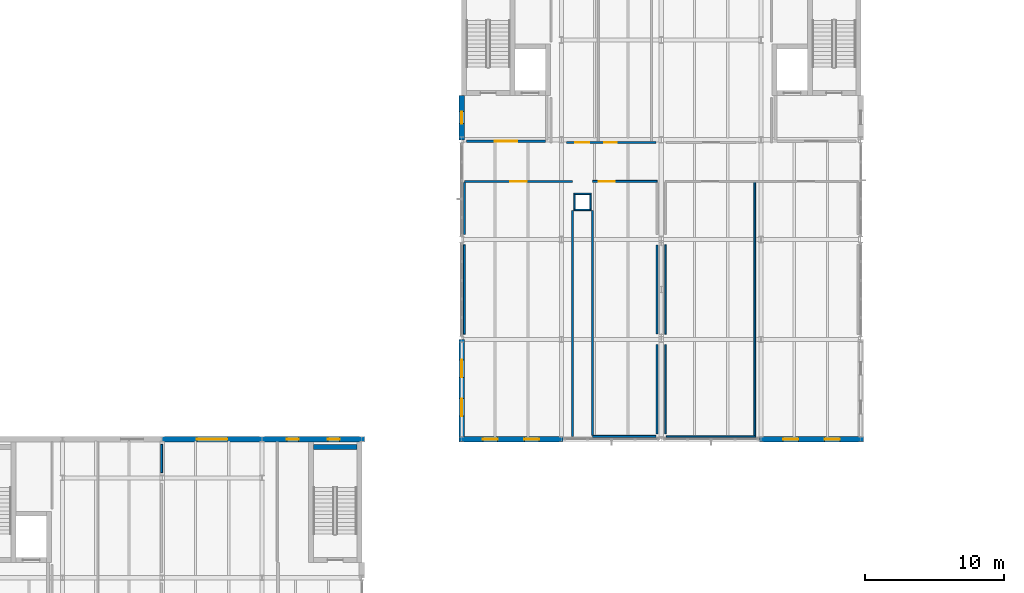
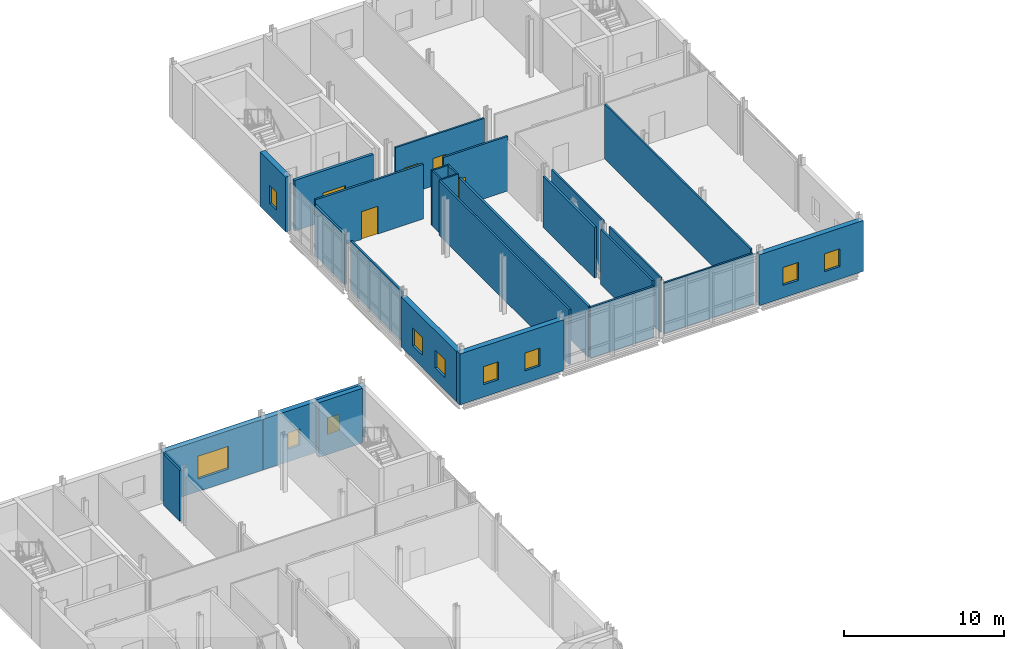
# One storey, part 60 of 76: 27 walls, 10 windows, 5 doors, 15 openings.
"""IFC4 building model written with IfcOpenShell, lengths in metres."""

from ifc_helpers import new_model, si_unit, direction, frame, frame_2d, origin, place, context, subcontext, project, spatial, rectangle, extrude, material, layer, layer_set, type_object, element, fill, save


model = new_model("IFC4")

# Units and contexts
model_context = context("Model", 3, precision=1e-05, world=origin(), true_north=direction((0.0, 1.0)))
body_context = subcontext(model_context, "Body", "Model", "MODEL_VIEW")
ifc_project = project(units=[si_unit("LENGTHUNIT", "METRE"), si_unit("AREAUNIT", "SQUARE_METRE"), si_unit("VOLUMEUNIT", "CUBIC_METRE"), si_unit("PLANEANGLEUNIT", "RADIAN"), si_unit("MASSUNIT", "GRAM", prefix="KILO")], contexts=[model_context])

# Site, building, storey
site_placement = place(None, origin())
site = spatial("IfcSite", under=ifc_project, at=site_placement, CompositionType="ELEMENT")
building_placement = place(site_placement, origin())
building = spatial("IfcBuilding", under=site, at=building_placement, Name="Zarrinpeak Specialist Clinic", CompositionType="ELEMENT")
storey_placement = place(building_placement, frame((0.0, 0.0, 5.199951171875)))
storey = spatial("IfcBuildingStorey", under=building, at=storey_placement, Name="L01", CompositionType="ELEMENT", Elevation=5.199951171875)

# Wall
ifc_material_1 = material(Name="Concrete C40/50", Category="concrete")
ifc_layer_1 = layer(ifc_material_1, 0.35009765625)
ifc_layer_set_1 = layer_set([ifc_layer_1], Name="Concrete C40/50")
wall_type_1 = type_object("IfcWallType", Name="WL-CR350", PredefinedType="SHEAR", material=ifc_layer_set_1)
wall_1_placement = place(storey_placement, frame((25.300048828125, 81.425048828125, 0.0), z_axis=(0.0, 0.0, 1.0), x_axis=(1.0, 0.0, 0.0)))
element("IfcWall", 1, at=wall_1_placement, inside=storey, type_object=wall_type_1, Name="L01 Core C10 Shear Wall STN", PredefinedType="SHEAR", context=body_context, shape_type="SweptSolid", body=[
    extrude(rectangle(XDim=3.14990234375, YDim=0.35009765625, at=frame_2d((1.574951171875, 0.0))), origin(), (0.0, 0.0, 1.0), 4.18505859375),
])

# Wall, opening, window
ifc_material_2 = material(Name="Precast concrete C40/50", Category="concrete")
ifc_layer_2 = layer(ifc_material_2, 0.3798828125)
ifc_layer_set_2 = layer_set([ifc_layer_2], Name="Precast concrete C40/50")
wall_type_2 = type_object("IfcWallType", Name="WL-EW380", PredefinedType="STANDARD", material=ifc_layer_set_2)
wall_2_placement = place(storey_placement, frame((21.60009765625, 82.0, 0.0), z_axis=(0.0, 0.0, 1.0), x_axis=(-1.0, 0.0, 0.0)))
wall_2 = element("IfcWall", 2, at=wall_2_placement, inside=storey, type_object=wall_type_2, Name="L01 V5 Exterior GRC Wall EW-L01-V5-0231", PredefinedType="STANDARD", context=body_context, shape_type="SweptSolid", body=[
    extrude(rectangle(XDim=7.2001953125, YDim=0.3798828125, at=frame_2d((3.60009765625, 0.0))), origin(), (0.0, 0.0, 1.0), 3.880126953125),
])
opening_1_placement = place(wall_2_placement, frame((2.5, 0.0, 0.949951171875)))
opening_1 = element("IfcOpeningElement", 3, at=opening_1_placement, cuts=wall_2, Name="Opening W-12", PredefinedType="OPENING", context=body_context, shape_type="SweptSolid", body=[
    extrude(rectangle(XDim=2.199951171875, YDim=1.75, at=frame_2d((1.10009765625, 0.875))), frame((0.0, 0.199951171875, 0.0), z_axis=(0.0, -1.0, 0.0), x_axis=(1.0, 0.0, 0.0)), (0.0, 0.0, 1.0), 0.39990234375),
])
ifc_material_3 = material(Name="Thermally Broken Aluminium and Low-E Glazing", Category="aluminium")
window_type_1 = type_object("IfcWindowType", Name="WN-SEM220", PartitioningType="SINGLE_PANEL", PredefinedType="WINDOW", material=ifc_material_3)
window_1_placement = place(opening_1_placement, origin())
window_1 = element("IfcWindow", 4, at=window_1_placement, inside=storey, type_object=window_type_1, Name="L01 Modular Facade Window WN-L01-0265", OverallHeight=1.75, OverallWidth=2.199951171875, PartitioningType="SINGLE_PANEL", PredefinedType="WINDOW", context=body_context, shape_type="SweptSolid", body=[
    extrude(rectangle(XDim=2.199951171875, YDim=1.75, at=frame_2d((1.10009765625, 0.875))), frame((0.0, 0.030029296875, 0.0), z_axis=(0.0, -1.0, 0.0), x_axis=(1.0, 0.0, 0.0)), (0.0, 0.0, 1.0), 0.06005859375),
])
fill(opening_1, window_1)

# Wall, openings, windows
wall_3_placement = place(storey_placement, frame((28.989990234375, 82.0, 0.0), z_axis=(0.0, 0.0, 1.0), x_axis=(-1.0, 0.0, 0.0)))
wall_3 = element("IfcWall", 5, at=wall_3_placement, inside=storey, type_object=wall_type_2, Name="L01 V5 Exterior GRC Wall EW-L01-V5-0232", PredefinedType="STANDARD", context=body_context, shape_type="SweptSolid", body=[
    extrude(rectangle(XDim=7.389892578125, YDim=0.3798828125, at=frame_2d((3.69482421875, 0.0))), origin(), (0.0, 0.0, 1.0), 3.880126953125),
])
opening_2_placement = place(wall_3_placement, frame((1.787109375, 0.0, 0.949951171875)))
opening_2 = element("IfcOpeningElement", 6, at=opening_2_placement, cuts=wall_3, Name="Opening WS-01", PredefinedType="OPENING", context=body_context, shape_type="SweptSolid", body=[
    extrude(rectangle(XDim=0.860107421875, YDim=1.260009765625, at=frame_2d((0.43017578125, 0.6298828125))), frame((0.0, 0.199951171875, 0.0), z_axis=(0.0, -1.0, 0.0), x_axis=(1.0, 0.0, 0.0)), (0.0, 0.0, 1.0), 0.39990234375),
])
opening_3_placement = place(wall_3_placement, frame((4.742919921875, 0.0, 0.949951171875)))
opening_3 = element("IfcOpeningElement", 7, at=opening_3_placement, cuts=wall_3, Name="Opening WS-01", PredefinedType="OPENING", context=body_context, shape_type="SweptSolid", body=[
    extrude(rectangle(XDim=0.860107421875, YDim=1.260009765625, at=frame_2d((0.43017578125, 0.6298828125))), frame((0.0, 0.199951171875, 0.0), z_axis=(0.0, -1.0, 0.0), x_axis=(1.0, 0.0, 0.0)), (0.0, 0.0, 1.0), 0.39990234375),
])
window_type_2 = type_object("IfcWindowType", Name="WN-SP01", PartitioningType="SINGLE_PANEL", PredefinedType="WINDOW", material=ifc_material_3)
window_2_placement = place(opening_2_placement, origin())
window_2 = element("IfcWindow", 8, at=window_2_placement, inside=storey, type_object=window_type_2, Name="L01 Modular Facade Window WN-L01-0266", OverallHeight=1.260009765625, OverallWidth=0.860107421875, PartitioningType="SINGLE_PANEL", PredefinedType="WINDOW", context=body_context, shape_type="SweptSolid", body=[
    extrude(rectangle(XDim=0.860107421875, YDim=1.260009765625, at=frame_2d((0.43017578125, 0.6298828125))), frame((0.0, 0.030029296875, 0.0), z_axis=(0.0, -1.0, 0.0), x_axis=(1.0, 0.0, 0.0)), (0.0, 0.0, 1.0), 0.06005859375),
])
fill(opening_2, window_2)
window_3_placement = place(opening_3_placement, origin())
window_3 = element("IfcWindow", 9, at=window_3_placement, inside=storey, type_object=window_type_2, Name="L01 Modular Facade Window WN-L01-0267", OverallHeight=1.260009765625, OverallWidth=0.860107421875, PartitioningType="SINGLE_PANEL", PredefinedType="WINDOW", context=body_context, shape_type="SweptSolid", body=[
    extrude(rectangle(XDim=0.860107421875, YDim=1.260009765625, at=frame_2d((0.43017578125, 0.6298828125))), frame((0.0, 0.030029296875, 0.0), z_axis=(0.0, -1.0, 0.0), x_axis=(1.0, 0.0, 0.0)), (0.0, 0.0, 1.0), 0.06005859375),
])
fill(opening_3, window_3)

wall_4_placement = place(storey_placement, frame((35.81005859375, 82.0, 0.0), z_axis=(0.0, 0.0, 1.0), x_axis=(1.0, 0.0, 0.0)))
wall_4 = element("IfcWall", 10, at=wall_4_placement, inside=storey, type_object=wall_type_2, Name="L01 V6 Exterior GRC Wall EW-L01-V6-0277", PredefinedType="STANDARD", context=body_context, shape_type="SweptSolid", body=[
    extrude(rectangle(XDim=7.5, YDim=0.3798828125, at=frame_2d((3.75, 0.0))), origin(), (0.0, 0.0, 1.0), 3.880126953125),
])
opening_4_placement = place(wall_4_placement, frame((1.718017578125, 0.0, 0.949951171875)))
opening_4 = element("IfcOpeningElement", 11, at=opening_4_placement, cuts=wall_4, Name="Opening WS-46", PredefinedType="OPENING", context=body_context, shape_type="SweptSolid", body=[
    extrude(rectangle(XDim=1.06396484375, YDim=1.367919921875, at=frame_2d((0.531982421875, 0.68408203125))), frame((0.0, 0.199951171875, 0.0), z_axis=(0.0, -1.0, 0.0), x_axis=(1.0, 0.0, 0.0)), (0.0, 0.0, 1.0), 0.39990234375),
])
opening_5_placement = place(wall_4_placement, frame((4.718017578125, 0.0, 0.949951171875)))
opening_5 = element("IfcOpeningElement", 12, at=opening_5_placement, cuts=wall_4, Name="Opening WS-46", PredefinedType="OPENING", context=body_context, shape_type="SweptSolid", body=[
    extrude(rectangle(XDim=1.06396484375, YDim=1.367919921875, at=frame_2d((0.531982421875, 0.68408203125))), frame((0.0, 0.199951171875, 0.0), z_axis=(0.0, -1.0, 0.0), x_axis=(1.0, 0.0, 0.0)), (0.0, 0.0, 1.0), 0.39990234375),
])
window_type_3 = type_object("IfcWindowType", Name="WN-SP46", PartitioningType="SINGLE_PANEL", PredefinedType="WINDOW", material=ifc_material_3)
window_4_placement = place(opening_4_placement, origin())
window_4 = element("IfcWindow", 13, at=window_4_placement, inside=storey, type_object=window_type_3, Name="L01 Modular Facade Window WN-L01-0311", OverallHeight=1.367919921875, OverallWidth=1.06396484375, PartitioningType="SINGLE_PANEL", PredefinedType="WINDOW", context=body_context, shape_type="SweptSolid", body=[
    extrude(rectangle(XDim=1.06396484375, YDim=1.367919921875, at=frame_2d((0.531982421875, 0.68408203125))), frame((0.0, 0.030029296875, 0.0), z_axis=(0.0, -1.0, 0.0), x_axis=(1.0, 0.0, 0.0)), (0.0, 0.0, 1.0), 0.06005859375),
])
fill(opening_4, window_4)
window_5_placement = place(opening_5_placement, origin())
window_5 = element("IfcWindow", 14, at=window_5_placement, inside=storey, type_object=window_type_3, Name="L01 Modular Facade Window WN-L01-0312", OverallHeight=1.367919921875, OverallWidth=1.06396484375, PartitioningType="SINGLE_PANEL", PredefinedType="WINDOW", context=body_context, shape_type="SweptSolid", body=[
    extrude(rectangle(XDim=1.06396484375, YDim=1.367919921875, at=frame_2d((0.531982421875, 0.68408203125))), frame((0.0, 0.030029296875, 0.0), z_axis=(0.0, -1.0, 0.0), x_axis=(1.0, 0.0, 0.0)), (0.0, 0.0, 1.0), 0.06005859375),
])
fill(opening_5, window_5)

wall_5_placement = place(storey_placement, frame((57.489990234375, 82.0, 0.0), z_axis=(0.0, 0.0, 1.0), x_axis=(1.0, 0.0, 0.0)))
wall_5 = element("IfcWall", 15, at=wall_5_placement, inside=storey, type_object=wall_type_2, Name="L01 V6 Exterior GRC Wall EW-L01-V6-0278", PredefinedType="STANDARD", context=body_context, shape_type="SweptSolid", body=[
    extrude(rectangle(XDim=7.5, YDim=0.3798828125, at=frame_2d((3.75, 0.0))), origin(), (0.0, 0.0, 1.0), 3.880126953125),
])
opening_6_placement = place(wall_5_placement, frame((1.700927734375, 0.0, 0.949951171875)))
opening_6 = element("IfcOpeningElement", 16, at=opening_6_placement, cuts=wall_5, Name="Opening WS-47", PredefinedType="OPENING", context=body_context, shape_type="SweptSolid", body=[
    extrude(rectangle(XDim=1.097900390625, YDim=1.367919921875, at=frame_2d((0.548828125, 0.68408203125))), frame((0.0, 0.199951171875, 0.0), z_axis=(0.0, -1.0, 0.0), x_axis=(1.0, 0.0, 0.0)), (0.0, 0.0, 1.0), 0.39990234375),
])
opening_7_placement = place(wall_5_placement, frame((4.700927734375, 0.0, 0.949951171875)))
opening_7 = element("IfcOpeningElement", 17, at=opening_7_placement, cuts=wall_5, Name="Opening WS-47", PredefinedType="OPENING", context=body_context, shape_type="SweptSolid", body=[
    extrude(rectangle(XDim=1.097900390625, YDim=1.367919921875, at=frame_2d((0.548828125, 0.68408203125))), frame((0.0, 0.199951171875, 0.0), z_axis=(0.0, -1.0, 0.0), x_axis=(1.0, 0.0, 0.0)), (0.0, 0.0, 1.0), 0.39990234375),
])
window_type_4 = type_object("IfcWindowType", Name="WN-SP47", PartitioningType="SINGLE_PANEL", PredefinedType="WINDOW", material=ifc_material_3)
window_6_placement = place(opening_6_placement, origin())
window_6 = element("IfcWindow", 18, at=window_6_placement, inside=storey, type_object=window_type_4, Name="L01 Modular Facade Window WN-L01-0313", OverallHeight=1.367919921875, OverallWidth=1.097900390625, PartitioningType="SINGLE_PANEL", PredefinedType="WINDOW", context=body_context, shape_type="SweptSolid", body=[
    extrude(rectangle(XDim=1.097900390625, YDim=1.367919921875, at=frame_2d((0.548828125, 0.68408203125))), frame((0.0, 0.030029296875, 0.0), z_axis=(0.0, -1.0, 0.0), x_axis=(1.0, 0.0, 0.0)), (0.0, 0.0, 1.0), 0.06005859375),
])
fill(opening_6, window_6)
window_7_placement = place(opening_7_placement, origin())
window_7 = element("IfcWindow", 19, at=window_7_placement, inside=storey, type_object=window_type_4, Name="L01 Modular Facade Window WN-L01-0314", OverallHeight=1.367919921875, OverallWidth=1.097900390625, PartitioningType="SINGLE_PANEL", PredefinedType="WINDOW", context=body_context, shape_type="SweptSolid", body=[
    extrude(rectangle(XDim=1.097900390625, YDim=1.367919921875, at=frame_2d((0.548828125, 0.68408203125))), frame((0.0, 0.030029296875, 0.0), z_axis=(0.0, -1.0, 0.0), x_axis=(1.0, 0.0, 0.0)), (0.0, 0.0, 1.0), 0.06005859375),
])
fill(opening_7, window_7)

wall_6_placement = place(storey_placement, frame((36.0, 89.199951171875, 0.0), z_axis=(0.0, 0.0, 1.0), x_axis=(0.0, -1.0, 0.0)))
wall_6 = element("IfcWall", 20, at=wall_6_placement, inside=storey, type_object=wall_type_2, Name="L01 V6 Exterior GRC Wall EW-L01-V6-0283", PredefinedType="STANDARD", context=body_context, shape_type="SweptSolid", body=[
    extrude(rectangle(XDim=7.010009765625, YDim=0.3798828125, at=frame_2d((3.5048828125, 0.0))), origin(), (0.0, 0.0, 1.0), 3.81005859375),
])
opening_8_placement = place(wall_6_placement, frame((1.468994140625, 0.0, 0.949951171875)))
opening_8 = element("IfcOpeningElement", 21, at=opening_8_placement, cuts=wall_6, Name="Opening WS-52", PredefinedType="OPENING", context=body_context, shape_type="SweptSolid", body=[
    extrude(rectangle(XDim=1.26806640625, YDim=1.367919921875, at=frame_2d((0.634033203125, 0.68408203125))), frame((0.0, 0.199951171875, 0.0), z_axis=(0.0, -1.0, 0.0), x_axis=(1.0, 0.0, 0.0)), (0.0, 0.0, 1.0), 0.39990234375),
])
opening_9_placement = place(wall_6_placement, frame((4.27294921875, 0.0, 0.949951171875)))
opening_9 = element("IfcOpeningElement", 22, at=opening_9_placement, cuts=wall_6, Name="Opening WS-52", PredefinedType="OPENING", context=body_context, shape_type="SweptSolid", body=[
    extrude(rectangle(XDim=1.26806640625, YDim=1.367919921875, at=frame_2d((0.634033203125, 0.68408203125))), frame((0.0, 0.199951171875, 0.0), z_axis=(0.0, -1.0, 0.0), x_axis=(1.0, 0.0, 0.0)), (0.0, 0.0, 1.0), 0.39990234375),
])
window_type_5 = type_object("IfcWindowType", Name="WN-SP52", PartitioningType="SINGLE_PANEL", PredefinedType="WINDOW", material=ifc_material_3)
window_8_placement = place(opening_8_placement, origin())
window_8 = element("IfcWindow", 23, at=window_8_placement, inside=storey, type_object=window_type_5, Name="L01 Modular Facade Window WN-L01-0322", OverallHeight=1.367919921875, OverallWidth=1.26806640625, PartitioningType="SINGLE_PANEL", PredefinedType="WINDOW", context=body_context, shape_type="SweptSolid", body=[
    extrude(rectangle(XDim=1.26806640625, YDim=1.367919921875, at=frame_2d((0.634033203125, 0.68408203125))), frame((0.0, 0.030029296875, 0.0), z_axis=(0.0, -1.0, 0.0), x_axis=(1.0, 0.0, 0.0)), (0.0, 0.0, 1.0), 0.06005859375),
])
fill(opening_8, window_8)
window_9_placement = place(opening_9_placement, origin())
window_9 = element("IfcWindow", 24, at=window_9_placement, inside=storey, type_object=window_type_5, Name="L01 Modular Facade Window WN-L01-0323", OverallHeight=1.367919921875, OverallWidth=1.26806640625, PartitioningType="SINGLE_PANEL", PredefinedType="WINDOW", context=body_context, shape_type="SweptSolid", body=[
    extrude(rectangle(XDim=1.26806640625, YDim=1.367919921875, at=frame_2d((0.634033203125, 0.68408203125))), frame((0.0, 0.030029296875, 0.0), z_axis=(0.0, -1.0, 0.0), x_axis=(1.0, 0.0, 0.0)), (0.0, 0.0, 1.0), 0.06005859375),
])
fill(opening_9, window_9)

# Wall, opening, window
wall_7_placement = place(storey_placement, frame((36.0, 106.800048828125, 0.0), z_axis=(0.0, 0.0, 1.0), x_axis=(0.0, -1.0, 0.0)))
wall_7 = element("IfcWall", 25, at=wall_7_placement, inside=storey, type_object=wall_type_2, Name="L01 V6 Exterior GRC Wall EW-L01-V6-0284", PredefinedType="STANDARD", context=body_context, shape_type="SweptSolid", body=[
    extrude(rectangle(XDim=3.199951171875, YDim=0.3798828125, at=frame_2d((1.60009765625, 0.0))), origin(), (0.0, 0.0, 1.0), 4.18505859375),
])
opening_10_placement = place(wall_7_placement, frame((1.169921875, 0.0, 0.949951171875)))
opening_10 = element("IfcOpeningElement", 26, at=opening_10_placement, cuts=wall_7, Name="Opening WS-53", PredefinedType="OPENING", context=body_context, shape_type="SweptSolid", body=[
    extrude(rectangle(XDim=0.860107421875, YDim=1.404052734375, at=frame_2d((0.43017578125, 0.7021484375))), frame((0.0, 0.199951171875, 0.0), z_axis=(0.0, -1.0, 0.0), x_axis=(1.0, 0.0, 0.0)), (0.0, 0.0, 1.0), 0.39990234375),
])
window_type_6 = type_object("IfcWindowType", Name="WN-SP53", PartitioningType="SINGLE_PANEL", PredefinedType="WINDOW", material=ifc_material_3)
window_10_placement = place(opening_10_placement, origin())
window_10 = element("IfcWindow", 27, at=window_10_placement, inside=storey, type_object=window_type_6, Name="L01 Modular Facade Window WN-L01-0324", OverallHeight=1.404052734375, OverallWidth=0.860107421875, PartitioningType="SINGLE_PANEL", PredefinedType="WINDOW", context=body_context, shape_type="SweptSolid", body=[
    extrude(rectangle(XDim=0.860107421875, YDim=1.404052734375, at=frame_2d((0.43017578125, 0.7021484375))), frame((0.0, 0.030029296875, 0.0), z_axis=(0.0, -1.0, 0.0), x_axis=(1.0, 0.0, 0.0)), (0.0, 0.0, 1.0), 0.06005859375),
])
fill(opening_10, window_10)

# Walls
ifc_material_4 = material(Name="Sanitary Service Chase Plumbing Wall", Category="gypsum")
ifc_layer_3 = layer(ifc_material_4, 0.110107421875)
ifc_layer_set_3 = layer_set([ifc_layer_3], Name="Sanitary Service Chase Plumbing Wall")
wall_type_3 = type_object("IfcWallType", Name="WL-IW110", PredefinedType="PARTITIONING", material=ifc_layer_set_3)
for number, where, z_axis, x_axis, name in (
    (28, (44.090087890625, 98.544921875, 0.0), (0.0, 0.0, 1.0), (1.0, 0.0, 0.0), "L01 V6 Enclosed MEP Service Riser Wall S"),
    (29, (44.090087890625, 99.705078125, 0.0), (0.0, 0.0, 1.0), (1.0, 0.0, 0.0), "L01 V6 Enclosed MEP Service Riser Wall N"),
):
    element("IfcWall", number, at=place(storey_placement, frame(where, z_axis=z_axis, x_axis=x_axis)), inside=storey, type_object=wall_type_3, Name=name, PredefinedType="PARTITIONING", context=body_context, shape_type="SweptSolid", body=[
        extrude(rectangle(XDim=1.27001953125, YDim=0.110107421875, at=frame_2d((0.635009765625, 0.0))), origin(), (0.0, 0.0, 1.0), 4.18505859375),
    ])
for number, where, z_axis, x_axis, name in (
    (30, (44.14501953125, 98.60009765625, 0.0), (0.0, 0.0, 1.0), (0.0, 1.0, 0.0), "L01 V6 Enclosed MEP Service Riser Wall W"),
    (31, (45.304931640625, 98.60009765625, 0.0), (0.0, 0.0, 1.0), (0.0, 1.0, 0.0), "L01 V6 Enclosed MEP Service Riser Wall E"),
):
    element("IfcWall", number, at=place(storey_placement, frame(where, z_axis=z_axis, x_axis=x_axis)), inside=storey, type_object=wall_type_3, Name=name, PredefinedType="PARTITIONING", context=body_context, shape_type="SweptSolid", body=[
        extrude(rectangle(XDim=1.0498046875, YDim=0.110107421875, at=frame_2d((0.52490234375, 0.0))), origin(), (0.0, 0.0, 1.0), 4.18505859375),
    ])
ifc_material_5 = material(Name="Cleanroom Flush Phenolic Partition", Category="gypsum")
ifc_layer_4 = layer(ifc_material_5, 0.117919921875)
ifc_layer_set_4 = layer_set([ifc_layer_4], Name="Cleanroom Flush Phenolic Partition")
wall_type_4 = type_object("IfcWallType", Name="WL-IW118", PredefinedType="PARTITIONING", material=ifc_layer_set_4)
wall_8_placement = place(storey_placement, frame((50.780029296875, 82.199951171875, 0.0), z_axis=(0.0, 0.0, 1.0), x_axis=(1.0, 0.0, 0.0)))
element("IfcWall", 32, at=wall_8_placement, inside=storey, type_object=wall_type_4, Name="L01 Automated Clinical Biochemistry Lab Partition", PredefinedType="PARTITIONING", context=body_context, shape_type="SweptSolid", body=[
    extrude(rectangle(XDim=6.43994140625, YDim=0.117919921875, at=frame_2d((3.219970703125, 0.0))), origin(), (0.0, 0.0, 1.0), 3.880126953125),
])
wall_9_placement = place(storey_placement, frame((50.699951171875, 82.3798828125, 0.0), z_axis=(0.0, 0.0, 1.0), x_axis=(0.0, 1.0, 0.0)))
element("IfcWall", 33, at=wall_9_placement, inside=storey, type_object=wall_type_4, Name="L01 Automated Clinical Biochemistry Lab Dividing Partition", PredefinedType="PARTITIONING", context=body_context, shape_type="SweptSolid", body=[
    extrude(rectangle(XDim=6.440185546875, YDim=0.117919921875, at=frame_2d((3.22021484375, 0.0))), origin(), (0.0, 0.0, 1.0), 4.18505859375),
])
wall_10_placement = place(storey_placement, frame((50.699951171875, 89.580078125, 0.0), z_axis=(0.0, 0.0, 1.0), x_axis=(0.0, 1.0, 0.0)))
element("IfcWall", 34, at=wall_10_placement, inside=storey, type_object=wall_type_4, Name="L01 Automated Clinical Biochemistry Lab Dividing Partition", PredefinedType="PARTITIONING", context=body_context, shape_type="SweptSolid", body=[
    extrude(rectangle(XDim=6.43994140625, YDim=0.117919921875, at=frame_2d((3.219970703125, 0.0))), origin(), (0.0, 0.0, 1.0), 4.18505859375),
])
wall_11_placement = place(storey_placement, frame((57.14990234375, 82.259033203125, 0.0), z_axis=(0.0, 0.0, 1.0), x_axis=(0.0, 1.0, 0.0)))
element("IfcWall", 35, at=wall_11_placement, inside=storey, type_object=wall_type_4, Name="L01 Automated Clinical Biochemistry Lab Dividing Partition", PredefinedType="PARTITIONING", context=body_context, shape_type="SweptSolid", body=[
    extrude(rectangle(XDim=18.281982421875, YDim=0.117919921875, at=frame_2d((9.14111328125, 0.0))), origin(), (0.0, 0.0, 1.0), 4.18505859375),
])

# Wall, openings, doors
ifc_material_6 = material(Name="Moisture-Resistant Wet-Room Partition", Category="gypsum")
ifc_layer_5 = layer(ifc_material_6, 0.125)
ifc_layer_set_5 = layer_set([ifc_layer_5], Name="Moisture-Resistant Wet-Room Partition")
wall_type_5 = type_object("IfcWallType", Name="WL-IW125W", PredefinedType="PARTITIONING", material=ifc_layer_set_5)
wall_12_placement = place(storey_placement, frame((43.580078125, 103.39990234375, 0.0), z_axis=(0.0, 0.0, 1.0), x_axis=(1.0, 0.0, 0.0)))
wall_12 = element("IfcWall", 36, at=wall_12_placement, inside=storey, type_object=wall_type_5, Name="L01 Accessible Staff WC Partition", PredefinedType="PARTITIONING", context=body_context, shape_type="SweptSolid", body=[
    extrude(rectangle(XDim=6.43994140625, YDim=0.125, at=frame_2d((3.219970703125, 0.0))), origin(), (0.0, 0.0, 1.0), 3.880126953125),
])
opening_11_placement = place(wall_12_placement, frame((0.635009765625, 0.0, 0.0)))
opening_11 = element("IfcOpeningElement", 37, at=opening_11_placement, cuts=wall_12, Name="Opening D-W02", PredefinedType="OPENING", context=body_context, shape_type="SweptSolid", body=[
    extrude(rectangle(XDim=1.0, YDim=2.10009765625, at=frame_2d((0.5, 1.050048828125))), frame((0.0, 0.072509765625, 0.0), z_axis=(0.0, -1.0, 0.0), x_axis=(1.0, 0.0, 0.0)), (0.0, 0.0, 1.0), 0.14501953125),
])
opening_12_placement = place(wall_12_placement, frame((2.719970703125, 0.0, 0.0)))
opening_12 = element("IfcOpeningElement", 38, at=opening_12_placement, cuts=wall_12, Name="Opening D-W01", PredefinedType="OPENING", context=body_context, shape_type="SweptSolid", body=[
    extrude(rectangle(XDim=0.89990234375, YDim=2.10009765625, at=frame_2d((0.449951171875, 1.050048828125))), frame((0.0, 0.072509765625, 0.0), z_axis=(0.0, -1.0, 0.0), x_axis=(1.0, 0.0, 0.0)), (0.0, 0.0, 1.0), 0.14501953125),
])
ifc_material_7 = material(Name="Powder-Coated Galvanised Steel", Category="steel")
door_type_1 = type_object("IfcDoorType", Name="DR-AWC100", OperationType="SLIDING_TO_LEFT", PredefinedType="DOOR", material=ifc_material_7)
door_1_placement = place(opening_11_placement, frame((1.0, 0.0, 0.0), z_axis=(0.0, 0.0, 1.0), x_axis=(-1.0, 0.0, 0.0)))
door_1 = element("IfcDoor", 39, at=door_1_placement, inside=storey, type_object=door_type_1, Name="L01 Accessible Staff WC Door", OperationType="SLIDING_TO_LEFT", OverallHeight=2.10009765625, OverallWidth=1.0, PredefinedType="DOOR", context=body_context, shape_type="SweptSolid", body=[
    extrude(rectangle(XDim=1.0, YDim=2.10009765625, at=frame_2d((0.5, 1.050048828125))), frame((0.0, 0.02490234375, 0.0), z_axis=(0.0, -1.0, 0.0), x_axis=(1.0, 0.0, 0.0)), (0.0, 0.0, 1.0), 0.050048828125),
])
fill(opening_11, door_1)
door_type_2 = type_object("IfcDoorType", Name="DR-WC90", OperationType="SINGLE_SWING_RIGHT", PredefinedType="DOOR", material=ifc_material_7)
door_2_placement = place(opening_12_placement, frame((0.89990234375, 0.0, 0.0), z_axis=(0.0, 0.0, 1.0), x_axis=(-1.0, 0.0, 0.0)))
door_2 = element("IfcDoor", 40, at=door_2_placement, inside=storey, type_object=door_type_2, Name="L01 Lab Staff Washroom Door", OperationType="SINGLE_SWING_RIGHT", OverallHeight=2.10009765625, OverallWidth=0.89990234375, PredefinedType="DOOR", context=body_context, shape_type="SweptSolid", body=[
    extrude(rectangle(XDim=0.89990234375, YDim=2.10009765625, at=frame_2d((0.449951171875, 1.050048828125))), frame((0.0, 0.02490234375, 0.0), z_axis=(0.0, -1.0, 0.0), x_axis=(1.0, 0.0, 0.0)), (0.0, 0.0, 1.0), 0.050048828125),
])
fill(opening_12, door_2)

# Walls
ifc_material_8 = material(Name="Standard Drywall Partition", Category="gypsum")
ifc_layer_6 = layer(ifc_material_8, 0.135009765625)
ifc_layer_set_6 = layer_set([ifc_layer_6], Name="Standard Drywall Partition")
wall_type_6 = type_object("IfcWallType", Name="WL-IW135", PredefinedType="PARTITIONING", material=ifc_layer_set_6)
wall_13_placement = place(storey_placement, frame((36.199951171875, 89.580078125, 0.0), z_axis=(0.0, 0.0, 1.0), x_axis=(0.0, 1.0, 0.0)))
element("IfcWall", 41, at=wall_13_placement, inside=storey, type_object=wall_type_6, Name="L01 Specialist Consultation Room 2 Dividing Partition", PredefinedType="PARTITIONING", context=body_context, shape_type="SweptSolid", body=[
    extrude(rectangle(XDim=6.43994140625, YDim=0.135009765625, at=frame_2d((3.219970703125, 0.0))), origin(), (0.0, 0.0, 1.0), 3.81005859375),
])
wall_14_placement = place(storey_placement, frame((44.0, 82.199951171875, 0.0), z_axis=(0.0, 0.0, 1.0), x_axis=(0.0, 1.0, 0.0)))
element("IfcWall", 42, at=wall_14_placement, inside=storey, type_object=wall_type_6, Name="L01 Specialist Consultation Room 2 Dividing Partition", PredefinedType="PARTITIONING", context=body_context, shape_type="SweptSolid", body=[
    extrude(rectangle(XDim=16.2900390625, YDim=0.135009765625, at=frame_2d((8.14501953125, 0.0))), origin(), (0.0, 0.0, 1.0), 4.18505859375),
])
wall_15_placement = place(storey_placement, frame((50.10009765625, 82.3798828125, 0.0), z_axis=(0.0, 0.0, 1.0), x_axis=(0.0, 1.0, 0.0)))
element("IfcWall", 43, at=wall_15_placement, inside=storey, type_object=wall_type_6, Name="L01 Specimen Accessioning Hub Dividing Partition", PredefinedType="PARTITIONING", context=body_context, shape_type="SweptSolid", body=[
    extrude(rectangle(XDim=6.440185546875, YDim=0.135009765625, at=frame_2d((3.22021484375, 0.0))), origin(), (0.0, 0.0, 1.0), 4.18505859375),
])
ifc_material_9 = material(Name="Acoustic Consultation Stud Partition", Category="gypsum")
ifc_layer_7 = layer(ifc_material_9, 0.14208984375)
ifc_layer_set_7 = layer_set([ifc_layer_7], Name="Acoustic Consultation Stud Partition")
wall_type_7 = type_object("IfcWallType", Name="WL-IW142", PredefinedType="PARTITIONING", material=ifc_layer_set_7)
wall_16_placement = place(storey_placement, frame((45.449951171875, 82.199951171875, 0.0), z_axis=(0.0, 0.0, 1.0), x_axis=(1.0, 0.0, 0.0)))
element("IfcWall", 44, at=wall_16_placement, inside=storey, type_object=wall_type_7, Name="L01 Specimen Accessioning Hub Partition", PredefinedType="PARTITIONING", context=body_context, shape_type="SweptSolid", body=[
    extrude(rectangle(XDim=4.570068359375, YDim=0.14208984375, at=frame_2d((2.28515625, 0.0))), origin(), (0.0, 0.0, 1.0), 3.880126953125),
])

# Wall, opening, door
wall_17_placement = place(storey_placement, frame((45.449951171875, 100.60009765625, 0.0), z_axis=(0.0, 0.0, 1.0), x_axis=(1.0, 0.0, 0.0)))
wall_17 = element("IfcWall", 45, at=wall_17_placement, inside=storey, type_object=wall_type_7, Name="L01 Specimen Accessioning Hub Partition", PredefinedType="PARTITIONING", context=body_context, shape_type="SweptSolid", body=[
    extrude(rectangle(XDim=4.650146484375, YDim=0.14208984375, at=frame_2d((2.3251953125, 0.0))), origin(), (0.0, 0.0, 1.0), 4.18505859375),
])
opening_13_placement = place(wall_17_placement, frame((0.449951171875, 0.0, 0.0)))
opening_13 = element("IfcOpeningElement", 46, at=opening_13_placement, cuts=wall_17, Name="Opening DS-50", PredefinedType="OPENING", context=body_context, shape_type="SweptSolid", body=[
    extrude(rectangle(XDim=1.139892578125, YDim=2.1240234375, at=frame_2d((0.56982421875, 1.06201171875))), frame((0.0, 0.0810546875, 0.0), z_axis=(0.0, -1.0, 0.0), x_axis=(1.0, 0.0, 0.0)), (0.0, 0.0, 1.0), 0.162109375),
])
door_type_3 = type_object("IfcDoorType", Name="DR-SP50", OperationType="SINGLE_SWING_LEFT", PredefinedType="DOOR", material=ifc_material_7)
door_3_placement = place(opening_13_placement, origin())
door_3 = element("IfcDoor", 47, at=door_3_placement, inside=storey, type_object=door_type_3, Name="L01 Specimen Accessioning Hub Door", OperationType="SINGLE_SWING_LEFT", OverallHeight=2.1240234375, OverallWidth=1.139892578125, PredefinedType="DOOR", context=body_context, shape_type="SweptSolid", body=[
    extrude(rectangle(XDim=1.139892578125, YDim=2.1240234375, at=frame_2d((0.56982421875, 1.06201171875))), frame((0.0, 0.02490234375, 0.0), z_axis=(0.0, -1.0, 0.0), x_axis=(1.0, 0.0, 0.0)), (0.0, 0.0, 1.0), 0.050048828125),
])
fill(opening_13, door_3)

# Wall
wall_18_placement = place(storey_placement, frame((14.35009765625, 79.580078125, 0.0), z_axis=(0.0, 0.0, 1.0), x_axis=(0.0, 1.0, 0.0)))
element("IfcWall", 48, at=wall_18_placement, inside=storey, type_object=wall_type_7, Name="L01 PACS Teleradiology Office Dividing Partition", PredefinedType="PARTITIONING", context=body_context, shape_type="SweptSolid", body=[
    extrude(rectangle(XDim=2.0400390625, YDim=0.14208984375, at=frame_2d((1.02001953125, 0.0))), origin(), (0.0, 0.0, 1.0), 3.880126953125),
])

# Wall, opening, door
ifc_material_10 = material(Name="Insulated Clinical Gypsum Stud Partition", Category="gypsum")
ifc_layer_8 = layer(ifc_material_10, 0.14990234375)
ifc_layer_set_8 = layer_set([ifc_layer_8], Name="Insulated Clinical Gypsum Stud Partition")
wall_type_8 = type_object("IfcWallType", Name="WL-IW150", PredefinedType="PARTITIONING", material=ifc_layer_set_8)
wall_19_placement = place(storey_placement, frame((36.199951171875, 100.60009765625, 0.0), z_axis=(0.0, 0.0, 1.0), x_axis=(1.0, 0.0, 0.0)))
wall_19 = element("IfcWall", 49, at=wall_19_placement, inside=storey, type_object=wall_type_8, Name="L01 Specialist Consultation Room 2 Partition", PredefinedType="PARTITIONING", context=body_context, shape_type="SweptSolid", body=[
    extrude(rectangle(XDim=7.800048828125, YDim=0.14990234375, at=frame_2d((3.89990234375, 0.0))), origin(), (0.0, 0.0, 1.0), 4.18505859375),
])
opening_14_placement = place(wall_19_placement, frame((3.303955078125, 0.0, 0.0)))
opening_14 = element("IfcOpeningElement", 50, at=opening_14_placement, cuts=wall_19, Name="Opening DS-52", PredefinedType="OPENING", context=body_context, shape_type="SweptSolid", body=[
    extrude(rectangle(XDim=1.19189453125, YDim=2.1240234375, at=frame_2d((0.595947265625, 1.06201171875))), frame((0.0, 0.0849609375, 0.0), z_axis=(0.0, -1.0, 0.0), x_axis=(1.0, 0.0, 0.0)), (0.0, 0.0, 1.0), 0.169921875),
])
door_type_4 = type_object("IfcDoorType", Name="DR-SP52", OperationType="SINGLE_SWING_LEFT", PredefinedType="DOOR", material=ifc_material_7)
door_4_placement = place(opening_14_placement, origin())
door_4 = element("IfcDoor", 51, at=door_4_placement, inside=storey, type_object=door_type_4, Name="L01 Specialist Consultation Room 2 Door", OperationType="SINGLE_SWING_LEFT", OverallHeight=2.1240234375, OverallWidth=1.19189453125, PredefinedType="DOOR", context=body_context, shape_type="SweptSolid", body=[
    extrude(rectangle(XDim=1.19189453125, YDim=2.1240234375, at=frame_2d((0.595947265625, 1.06201171875))), frame((0.0, 0.02490234375, 0.0), z_axis=(0.0, -1.0, 0.0), x_axis=(1.0, 0.0, 0.0)), (0.0, 0.0, 1.0), 0.050048828125),
])
fill(opening_14, door_4)

# Walls
ifc_material_11 = material(Name="Acoustic Double Gypsum Stud Partition", Category="gypsum")
ifc_layer_9 = layer(ifc_material_11, 0.159912109375)
ifc_layer_set_9 = layer_set([ifc_layer_9], Name="Acoustic Double Gypsum Stud Partition")
wall_type_9 = type_object("IfcWallType", Name="WL-IW160", PredefinedType="PARTITIONING", material=ifc_layer_set_9)
wall_20_placement = place(storey_placement, frame((36.199951171875, 96.780029296875, 0.0), z_axis=(0.0, 0.0, 1.0), x_axis=(0.0, 1.0, 0.0)))
element("IfcWall", 52, at=wall_20_placement, inside=storey, type_object=wall_type_9, Name="L01 Specialist Consultation Room 2 Dividing Partition", PredefinedType="PARTITIONING", context=body_context, shape_type="SweptSolid", body=[
    extrude(rectangle(XDim=3.744873046875, YDim=0.159912109375, at=frame_2d((1.87255859375, 0.0))), origin(), (0.0, 0.0, 1.0), 3.81005859375),
])
wall_21_placement = place(storey_placement, frame((45.449951171875, 82.27099609375, 0.0), z_axis=(0.0, 0.0, 1.0), x_axis=(0.0, 1.0, 0.0)))
element("IfcWall", 53, at=wall_21_placement, inside=storey, type_object=wall_type_9, Name="L01 Specimen Accessioning Hub Dividing Partition", PredefinedType="PARTITIONING", context=body_context, shape_type="SweptSolid", body=[
    extrude(rectangle(XDim=16.218994140625, YDim=0.159912109375, at=frame_2d((8.109375, 0.0))), origin(), (0.0, 0.0, 1.0), 3.900146484375),
])
wall_22_placement = place(storey_placement, frame((50.10009765625, 89.580078125, 0.0), z_axis=(0.0, 0.0, 1.0), x_axis=(0.0, 1.0, 0.0)))
element("IfcWall", 54, at=wall_22_placement, inside=storey, type_object=wall_type_9, Name="L01 Specimen Accessioning Hub Dividing Partition", PredefinedType="PARTITIONING", context=body_context, shape_type="SweptSolid", body=[
    extrude(rectangle(XDim=6.43994140625, YDim=0.159912109375, at=frame_2d((3.219970703125, 0.0))), origin(), (0.0, 0.0, 1.0), 3.880126953125),
])

# Wall, opening, door
ifc_material_12 = material(Name="Autoclaved Aerated Concrete Blockwork", Category="masonry")
ifc_layer_10 = layer(ifc_material_12, 0.199951171875)
ifc_layer_set_10 = layer_set([ifc_layer_10], Name="Autoclaved Aerated Concrete Blockwork")
wall_type_10 = type_object("IfcWallType", Name="WL-IW200", PredefinedType="PARTITIONING", material=ifc_layer_set_10)
wall_23_placement = place(storey_placement, frame((36.35009765625, 103.5, 0.0), z_axis=(0.0, 0.0, 1.0), x_axis=(1.0, 0.0, 0.0)))
wall_23 = element("IfcWall", 55, at=wall_23_placement, inside=storey, type_object=wall_type_10, Name="L01 C11 Protected Lobby Partition LBF", PredefinedType="PARTITIONING", context=body_context, shape_type="SweptSolid", body=[
    extrude(rectangle(XDim=5.699951171875, YDim=0.199951171875, at=frame_2d((2.85009765625, 0.0))), origin(), (0.0, 0.0, 1.0), 3.880126953125),
])
opening_15_placement = place(wall_23_placement, frame((2.050048828125, 0.0, 0.0)))
opening_15 = element("IfcOpeningElement", 56, at=opening_15_placement, cuts=wall_23, Name="Opening D-L01", PredefinedType="OPENING", context=body_context, shape_type="SweptSolid", body=[
    extrude(rectangle(XDim=1.60009765625, YDim=2.199951171875, at=frame_2d((0.800048828125, 1.10009765625))), frame((0.0, 0.10986328125, 0.0), z_axis=(0.0, -1.0, 0.0), x_axis=(1.0, 0.0, 0.0)), (0.0, 0.0, 1.0), 0.219970703125),
])
door_type_5 = type_object("IfcDoorType", Name="DR-LB160", OperationType="DOUBLE_DOOR_SINGLE_SWING", PredefinedType="DOOR", material=ifc_material_7)
door_5_placement = place(opening_15_placement, origin())
door_5 = element("IfcDoor", 57, at=door_5_placement, inside=storey, type_object=door_type_5, Name="L01 C11 Lobby Hold-Open Fire Door", OperationType="DOUBLE_DOOR_SINGLE_SWING", OverallHeight=2.199951171875, OverallWidth=1.60009765625, PredefinedType="DOOR", context=body_context, shape_type="SweptSolid", body=[
    extrude(rectangle(XDim=1.60009765625, YDim=2.199951171875, at=frame_2d((0.800048828125, 1.10009765625))), frame((0.0, 0.02490234375, 0.0), z_axis=(0.0, -1.0, 0.0), x_axis=(1.0, 0.0, 0.0)), (0.0, 0.0, 1.0), 0.050048828125),
])
fill(opening_15, door_5)

save(model, "model.ifc")
